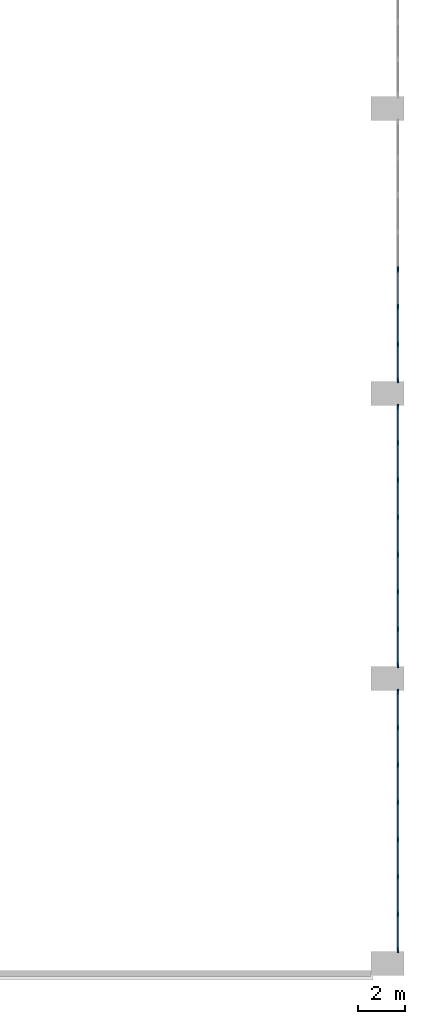
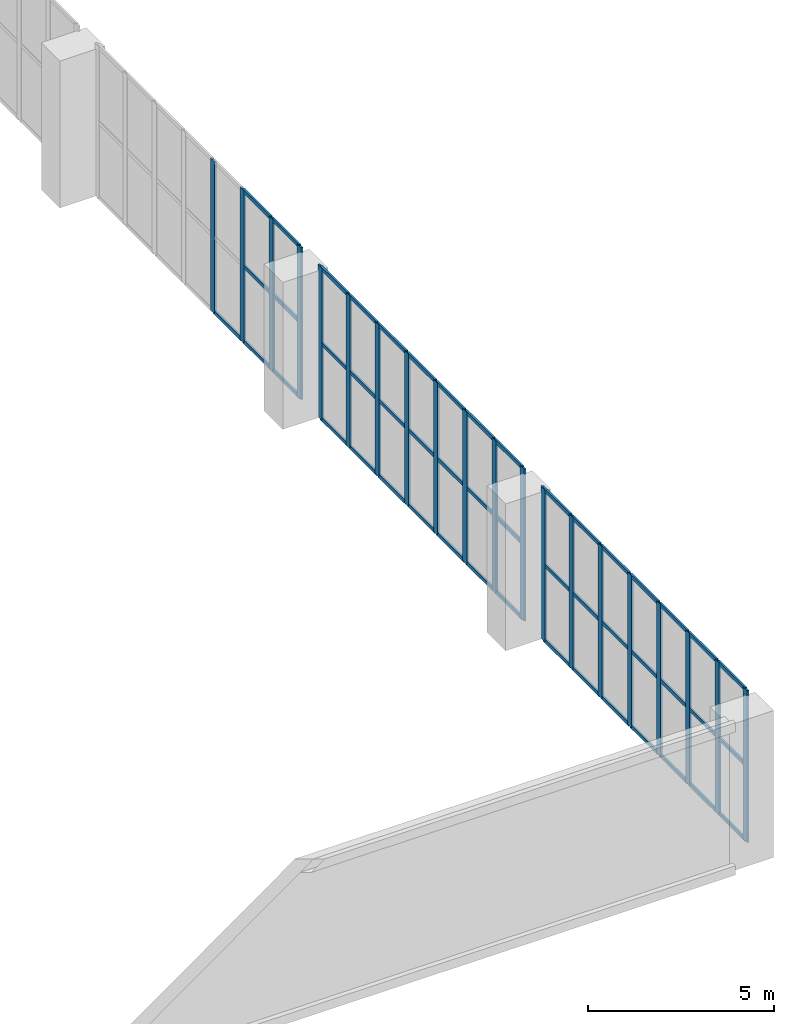
# One storey, part 15 of 69: 69 members, 3 elements without a shape of their own.
"""IFC4 building model written with IfcOpenShell, lengths in metres."""

from ifc_helpers import new_model, si_unit, direction, frame, origin, origin_2d, place, context, subcontext, project, spatial, rectangle, extrude, material, layer, layer_set, material_profile, profile_set, type_object, element, aggregate, save


model = new_model("IFC4")

# Units and contexts
model_context = context("Model", 3, precision=1e-05, world=origin(), true_north=direction((0.0, 1.0)))
body_context = subcontext(model_context, "Body", "Model", "MODEL_VIEW")
ifc_project = project(units=[si_unit("LENGTHUNIT", "METRE"), si_unit("AREAUNIT", "SQUARE_METRE"), si_unit("VOLUMEUNIT", "CUBIC_METRE"), si_unit("PLANEANGLEUNIT", "RADIAN"), si_unit("MASSUNIT", "GRAM", prefix="KILO")], contexts=[model_context])

# Site, building, storey
site_placement = place(None, origin())
site = spatial("IfcSite", under=ifc_project, at=site_placement, CompositionType="ELEMENT")
building_placement = place(site_placement, origin())
building = spatial("IfcBuilding", under=site, at=building_placement, Name="Lilac Gate Convention Centre", CompositionType="ELEMENT")
storey_placement = place(building_placement, frame((0.0, 0.0, 12.0)))
storey = spatial("IfcBuildingStorey", under=building, at=storey_placement, Name="L02", CompositionType="ELEMENT", Elevation=12.0)

# Curtain wall, members
ifc_material_1 = material(Name="Aluminium framed double glazing", Category="aluminium")
ifc_layer = layer(ifc_material_1, 0.199951171875)
ifc_layer_set = layer_set([ifc_layer], Name="Aluminium framed double glazing")
curtain_wall_type = type_object("IfcCurtainWallType", Name="Unitised curtain wall 1500", PredefinedType="NOTDEFINED", material=ifc_layer_set)
curtain_wall_1_placement = place(storey_placement, origin())
curtain_wall_1 = element("IfcCurtainWall", 1, at=curtain_wall_1_placement, inside=storey, type_object=curtain_wall_type, Name="Curtain wall HE L02 1", PredefinedType="NOTDEFINED")
ifc_material_2 = material(Name="Aluminium alloy 6063", Category="aluminium")
ifc_material_profile_1 = material_profile(ifc_material_2, rectangle(XDim=0.06005859375, YDim=0.219970703125, at=origin_2d()), Name="Curtain wall mullion 60 x 220")
ifc_profile_set_1 = profile_set([ifc_material_profile_1], Name="Aluminium alloy 6063")
member_type_1 = type_object("IfcMemberType", Name="Curtain wall mullion 60 x 220", PredefinedType="MULLION", material=ifc_profile_set_1)
member_1_placement = place(storey_placement, frame((90.449951171875, 30.56005859375, 0.0), z_axis=(0.0, 0.0, 1.0), x_axis=(-1.0, 0.0, 0.0)))
member_1 = element("IfcMember", 2, at=member_1_placement, type_object=member_type_1, Name="CW mullion 1", PredefinedType="MULLION", context=body_context, shape_type="SweptSolid", body=[
    extrude(rectangle(XDim=0.06005859375, YDim=0.219970703125, at=origin_2d()), origin(), (0.0, 0.0, 1.0), 5.0),
])
member_2_placement = place(storey_placement, frame((90.449951171875, 32.071533203125, 0.0), z_axis=(0.0, 0.0, 1.0), x_axis=(-1.0, 0.0, 0.0)))
member_2 = element("IfcMember", 3, at=member_2_placement, type_object=member_type_1, Name="CW mullion 2", PredefinedType="MULLION", context=body_context, shape_type="SweptSolid", body=[
    extrude(rectangle(XDim=0.06005859375, YDim=0.219970703125, at=origin_2d()), origin(), (0.0, 0.0, 1.0), 5.0),
])
member_3_placement = place(storey_placement, frame((90.449951171875, 33.642822265625, 0.0), z_axis=(0.0, 0.0, 1.0), x_axis=(-1.0, 0.0, 0.0)))
member_3 = element("IfcMember", 4, at=member_3_placement, type_object=member_type_1, Name="CW mullion 3", PredefinedType="MULLION", context=body_context, shape_type="SweptSolid", body=[
    extrude(rectangle(XDim=0.06005859375, YDim=0.219970703125, at=origin_2d()), origin(), (0.0, 0.0, 1.0), 5.0),
])
member_4_placement = place(storey_placement, frame((90.449951171875, 35.21435546875, 0.0), z_axis=(0.0, 0.0, 1.0), x_axis=(-1.0, 0.0, 0.0)))
member_4 = element("IfcMember", 5, at=member_4_placement, type_object=member_type_1, Name="CW mullion 4", PredefinedType="MULLION", context=body_context, shape_type="SweptSolid", body=[
    extrude(rectangle(XDim=0.06005859375, YDim=0.219970703125, at=origin_2d()), origin(), (0.0, 0.0, 1.0), 5.0),
])
member_5_placement = place(storey_placement, frame((90.449951171875, 36.78564453125, 0.0), z_axis=(0.0, 0.0, 1.0), x_axis=(-1.0, 0.0, 0.0)))
member_5 = element("IfcMember", 6, at=member_5_placement, type_object=member_type_1, Name="CW mullion 5", PredefinedType="MULLION", context=body_context, shape_type="SweptSolid", body=[
    extrude(rectangle(XDim=0.06005859375, YDim=0.219970703125, at=origin_2d()), origin(), (0.0, 0.0, 1.0), 5.0),
])
member_6_placement = place(storey_placement, frame((90.449951171875, 38.357177734375, 0.0), z_axis=(0.0, 0.0, 1.0), x_axis=(-1.0, 0.0, 0.0)))
member_6 = element("IfcMember", 7, at=member_6_placement, type_object=member_type_1, Name="CW mullion 6", PredefinedType="MULLION", context=body_context, shape_type="SweptSolid", body=[
    extrude(rectangle(XDim=0.06005859375, YDim=0.219970703125, at=origin_2d()), origin(), (0.0, 0.0, 1.0), 5.0),
])
member_7_placement = place(storey_placement, frame((90.449951171875, 39.928466796875, 0.0), z_axis=(0.0, 0.0, 1.0), x_axis=(-1.0, 0.0, 0.0)))
member_7 = element("IfcMember", 8, at=member_7_placement, type_object=member_type_1, Name="CW mullion 7", PredefinedType="MULLION", context=body_context, shape_type="SweptSolid", body=[
    extrude(rectangle(XDim=0.06005859375, YDim=0.219970703125, at=origin_2d()), origin(), (0.0, 0.0, 1.0), 5.0),
])
member_8_placement = place(storey_placement, frame((90.449951171875, 41.43994140625, 0.0), z_axis=(0.0, 0.0, 1.0), x_axis=(-1.0, 0.0, 0.0)))
member_8 = element("IfcMember", 9, at=member_8_placement, type_object=member_type_1, Name="CW mullion 8", PredefinedType="MULLION", context=body_context, shape_type="SweptSolid", body=[
    extrude(rectangle(XDim=0.06005859375, YDim=0.219970703125, at=origin_2d()), origin(), (0.0, 0.0, 1.0), 5.0),
])

curtain_wall_2_placement = place(storey_placement, origin())
curtain_wall_2 = element("IfcCurtainWall", 10, at=curtain_wall_2_placement, inside=storey, type_object=curtain_wall_type, Name="Curtain wall HE L02 2", PredefinedType="NOTDEFINED")
member_9_placement = place(storey_placement, frame((90.449951171875, 42.56005859375, 0.0), z_axis=(0.0, 0.0, 1.0), x_axis=(-1.0, 0.0, 0.0)))
member_9 = element("IfcMember", 11, at=member_9_placement, type_object=member_type_1, Name="CW mullion 1", PredefinedType="MULLION", context=body_context, shape_type="SweptSolid", body=[
    extrude(rectangle(XDim=0.06005859375, YDim=0.219970703125, at=origin_2d()), origin(), (0.0, 0.0, 1.0), 5.0),
])
member_10_placement = place(storey_placement, frame((90.449951171875, 44.071533203125, 0.0), z_axis=(0.0, 0.0, 1.0), x_axis=(-1.0, 0.0, 0.0)))
member_10 = element("IfcMember", 12, at=member_10_placement, type_object=member_type_1, Name="CW mullion 2", PredefinedType="MULLION", context=body_context, shape_type="SweptSolid", body=[
    extrude(rectangle(XDim=0.06005859375, YDim=0.219970703125, at=origin_2d()), origin(), (0.0, 0.0, 1.0), 5.0),
])
member_11_placement = place(storey_placement, frame((90.449951171875, 45.642822265625, 0.0), z_axis=(0.0, 0.0, 1.0), x_axis=(-1.0, 0.0, 0.0)))
member_11 = element("IfcMember", 13, at=member_11_placement, type_object=member_type_1, Name="CW mullion 3", PredefinedType="MULLION", context=body_context, shape_type="SweptSolid", body=[
    extrude(rectangle(XDim=0.06005859375, YDim=0.219970703125, at=origin_2d()), origin(), (0.0, 0.0, 1.0), 5.0),
])
member_12_placement = place(storey_placement, frame((90.449951171875, 47.21435546875, 0.0), z_axis=(0.0, 0.0, 1.0), x_axis=(-1.0, 0.0, 0.0)))
member_12 = element("IfcMember", 14, at=member_12_placement, type_object=member_type_1, Name="CW mullion 4", PredefinedType="MULLION", context=body_context, shape_type="SweptSolid", body=[
    extrude(rectangle(XDim=0.06005859375, YDim=0.219970703125, at=origin_2d()), origin(), (0.0, 0.0, 1.0), 5.0),
])
member_13_placement = place(storey_placement, frame((90.449951171875, 48.78564453125, 0.0), z_axis=(0.0, 0.0, 1.0), x_axis=(-1.0, 0.0, 0.0)))
member_13 = element("IfcMember", 15, at=member_13_placement, type_object=member_type_1, Name="CW mullion 5", PredefinedType="MULLION", context=body_context, shape_type="SweptSolid", body=[
    extrude(rectangle(XDim=0.06005859375, YDim=0.219970703125, at=origin_2d()), origin(), (0.0, 0.0, 1.0), 5.0),
])
member_14_placement = place(storey_placement, frame((90.449951171875, 50.357177734375, 0.0), z_axis=(0.0, 0.0, 1.0), x_axis=(-1.0, 0.0, 0.0)))
member_14 = element("IfcMember", 16, at=member_14_placement, type_object=member_type_1, Name="CW mullion 6", PredefinedType="MULLION", context=body_context, shape_type="SweptSolid", body=[
    extrude(rectangle(XDim=0.06005859375, YDim=0.219970703125, at=origin_2d()), origin(), (0.0, 0.0, 1.0), 5.0),
])
member_15_placement = place(storey_placement, frame((90.449951171875, 51.928466796875, 0.0), z_axis=(0.0, 0.0, 1.0), x_axis=(-1.0, 0.0, 0.0)))
member_15 = element("IfcMember", 17, at=member_15_placement, type_object=member_type_1, Name="CW mullion 7", PredefinedType="MULLION", context=body_context, shape_type="SweptSolid", body=[
    extrude(rectangle(XDim=0.06005859375, YDim=0.219970703125, at=origin_2d()), origin(), (0.0, 0.0, 1.0), 5.0),
])
member_16_placement = place(storey_placement, frame((90.449951171875, 53.43994140625, 0.0), z_axis=(0.0, 0.0, 1.0), x_axis=(-1.0, 0.0, 0.0)))
member_16 = element("IfcMember", 18, at=member_16_placement, type_object=member_type_1, Name="CW mullion 8", PredefinedType="MULLION", context=body_context, shape_type="SweptSolid", body=[
    extrude(rectangle(XDim=0.06005859375, YDim=0.219970703125, at=origin_2d()), origin(), (0.0, 0.0, 1.0), 5.0),
])

curtain_wall_3_placement = place(storey_placement, origin())
curtain_wall_3 = element("IfcCurtainWall", 19, at=curtain_wall_3_placement, inside=storey, type_object=curtain_wall_type, Name="Curtain wall HE L02 3", PredefinedType="NOTDEFINED")
member_17_placement = place(storey_placement, frame((90.449951171875, 54.56005859375, 0.0), z_axis=(0.0, 0.0, 1.0), x_axis=(-1.0, 0.0, 0.0)))
member_17 = element("IfcMember", 20, at=member_17_placement, type_object=member_type_1, Name="CW mullion 1", PredefinedType="MULLION", context=body_context, shape_type="SweptSolid", body=[
    extrude(rectangle(XDim=0.06005859375, YDim=0.219970703125, at=origin_2d()), origin(), (0.0, 0.0, 1.0), 5.0),
])
member_18_placement = place(storey_placement, frame((90.449951171875, 56.071533203125, 0.0), z_axis=(0.0, 0.0, 1.0), x_axis=(-1.0, 0.0, 0.0)))
member_18 = element("IfcMember", 21, at=member_18_placement, type_object=member_type_1, Name="CW mullion 2", PredefinedType="MULLION", context=body_context, shape_type="SweptSolid", body=[
    extrude(rectangle(XDim=0.06005859375, YDim=0.219970703125, at=origin_2d()), origin(), (0.0, 0.0, 1.0), 5.0),
])
member_19_placement = place(storey_placement, frame((90.449951171875, 57.642822265625, 0.0), z_axis=(0.0, 0.0, 1.0), x_axis=(-1.0, 0.0, 0.0)))
member_19 = element("IfcMember", 22, at=member_19_placement, type_object=member_type_1, Name="CW mullion 3", PredefinedType="MULLION", context=body_context, shape_type="SweptSolid", body=[
    extrude(rectangle(XDim=0.06005859375, YDim=0.219970703125, at=origin_2d()), origin(), (0.0, 0.0, 1.0), 5.0),
])
member_20_placement = place(storey_placement, frame((90.449951171875, 59.21435546875, 0.0), z_axis=(0.0, 0.0, 1.0), x_axis=(-1.0, 0.0, 0.0)))
member_20 = element("IfcMember", 23, at=member_20_placement, type_object=member_type_1, Name="CW mullion 4", PredefinedType="MULLION", context=body_context, shape_type="SweptSolid", body=[
    extrude(rectangle(XDim=0.06005859375, YDim=0.219970703125, at=origin_2d()), origin(), (0.0, 0.0, 1.0), 5.0),
])

# Member
ifc_material_profile_2 = material_profile(ifc_material_2, rectangle(XDim=0.06005859375, YDim=0.1201171875, at=origin_2d()), Name="Curtain wall transom 60 x 120")
ifc_profile_set_2 = profile_set([ifc_material_profile_2], Name="Aluminium alloy 6063")
member_type_2 = type_object("IfcMemberType", Name="Curtain wall transom 60 x 120", PredefinedType="USERDEFINED", material=ifc_profile_set_2)
member_21_placement = place(storey_placement, frame((90.449951171875, 30.56005859375, 0.030029296875), z_axis=(0.0, 1.0, 0.0), x_axis=(-1.0, 0.0, 0.0)))
member_21 = element("IfcMember", 24, at=member_21_placement, type_object=member_type_2, Name="CW transom 1.1", ObjectType="TRANSOM", PredefinedType="USERDEFINED", context=body_context, shape_type="SweptSolid", body=[
    extrude(rectangle(XDim=0.06005859375, YDim=0.1201171875, at=origin_2d()), origin(), (0.0, 0.0, 1.0), 1.4814453125),
])

member_22_placement = place(storey_placement, frame((90.449951171875, 30.56005859375, 2.5), z_axis=(0.0, 1.0, 0.0), x_axis=(-1.0, 0.0, 0.0)))
member_22 = element("IfcMember", 25, at=member_22_placement, type_object=member_type_2, Name="CW transom 1.2", ObjectType="TRANSOM", PredefinedType="USERDEFINED", context=body_context, shape_type="SweptSolid", body=[
    extrude(rectangle(XDim=0.06005859375, YDim=0.1201171875, at=origin_2d()), origin(), (0.0, 0.0, 1.0), 1.4814453125),
])

member_23_placement = place(storey_placement, frame((90.449951171875, 30.56005859375, 4.969970703125), z_axis=(0.0, 1.0, 0.0), x_axis=(-1.0, 0.0, 0.0)))
member_23 = element("IfcMember", 26, at=member_23_placement, type_object=member_type_2, Name="CW transom 1.3", ObjectType="TRANSOM", PredefinedType="USERDEFINED", context=body_context, shape_type="SweptSolid", body=[
    extrude(rectangle(XDim=0.06005859375, YDim=0.1201171875, at=origin_2d()), origin(), (0.0, 0.0, 1.0), 1.4814453125),
])

member_24_placement = place(storey_placement, frame((90.449951171875, 32.101318359375, 0.030029296875), z_axis=(0.0, 1.0, 0.0), x_axis=(-1.0, 0.0, 0.0)))
member_24 = element("IfcMember", 27, at=member_24_placement, type_object=member_type_2, Name="CW transom 2.1", ObjectType="TRANSOM", PredefinedType="USERDEFINED", context=body_context, shape_type="SweptSolid", body=[
    extrude(rectangle(XDim=0.06005859375, YDim=0.1201171875, at=origin_2d()), origin(), (0.0, 0.0, 1.0), 1.511474609375),
])

member_25_placement = place(storey_placement, frame((90.449951171875, 32.101318359375, 2.5), z_axis=(0.0, 1.0, 0.0), x_axis=(-1.0, 0.0, 0.0)))
member_25 = element("IfcMember", 28, at=member_25_placement, type_object=member_type_2, Name="CW transom 2.2", ObjectType="TRANSOM", PredefinedType="USERDEFINED", context=body_context, shape_type="SweptSolid", body=[
    extrude(rectangle(XDim=0.06005859375, YDim=0.1201171875, at=origin_2d()), origin(), (0.0, 0.0, 1.0), 1.511474609375),
])

member_26_placement = place(storey_placement, frame((90.449951171875, 32.101318359375, 4.969970703125), z_axis=(0.0, 1.0, 0.0), x_axis=(-1.0, 0.0, 0.0)))
member_26 = element("IfcMember", 29, at=member_26_placement, type_object=member_type_2, Name="CW transom 2.3", ObjectType="TRANSOM", PredefinedType="USERDEFINED", context=body_context, shape_type="SweptSolid", body=[
    extrude(rectangle(XDim=0.06005859375, YDim=0.1201171875, at=origin_2d()), origin(), (0.0, 0.0, 1.0), 1.511474609375),
])

member_27_placement = place(storey_placement, frame((90.449951171875, 33.6728515625, 0.030029296875), z_axis=(0.0, 1.0, 0.0), x_axis=(-1.0, 0.0, 0.0)))
member_27 = element("IfcMember", 30, at=member_27_placement, type_object=member_type_2, Name="CW transom 3.1", ObjectType="TRANSOM", PredefinedType="USERDEFINED", context=body_context, shape_type="SweptSolid", body=[
    extrude(rectangle(XDim=0.06005859375, YDim=0.1201171875, at=origin_2d()), origin(), (0.0, 0.0, 1.0), 1.511474609375),
])

member_28_placement = place(storey_placement, frame((90.449951171875, 33.6728515625, 2.5), z_axis=(0.0, 1.0, 0.0), x_axis=(-1.0, 0.0, 0.0)))
member_28 = element("IfcMember", 31, at=member_28_placement, type_object=member_type_2, Name="CW transom 3.2", ObjectType="TRANSOM", PredefinedType="USERDEFINED", context=body_context, shape_type="SweptSolid", body=[
    extrude(rectangle(XDim=0.06005859375, YDim=0.1201171875, at=origin_2d()), origin(), (0.0, 0.0, 1.0), 1.511474609375),
])

member_29_placement = place(storey_placement, frame((90.449951171875, 33.6728515625, 4.969970703125), z_axis=(0.0, 1.0, 0.0), x_axis=(-1.0, 0.0, 0.0)))
member_29 = element("IfcMember", 32, at=member_29_placement, type_object=member_type_2, Name="CW transom 3.3", ObjectType="TRANSOM", PredefinedType="USERDEFINED", context=body_context, shape_type="SweptSolid", body=[
    extrude(rectangle(XDim=0.06005859375, YDim=0.1201171875, at=origin_2d()), origin(), (0.0, 0.0, 1.0), 1.511474609375),
])

member_30_placement = place(storey_placement, frame((90.449951171875, 35.244384765625, 0.030029296875), z_axis=(0.0, 1.0, 0.0), x_axis=(-1.0, 0.0, 0.0)))
member_30 = element("IfcMember", 33, at=member_30_placement, type_object=member_type_2, Name="CW transom 4.1", ObjectType="TRANSOM", PredefinedType="USERDEFINED", context=body_context, shape_type="SweptSolid", body=[
    extrude(rectangle(XDim=0.06005859375, YDim=0.1201171875, at=origin_2d()), origin(), (0.0, 0.0, 1.0), 1.51123046875),
])

member_31_placement = place(storey_placement, frame((90.449951171875, 35.244384765625, 2.5), z_axis=(0.0, 1.0, 0.0), x_axis=(-1.0, 0.0, 0.0)))
member_31 = element("IfcMember", 34, at=member_31_placement, type_object=member_type_2, Name="CW transom 4.2", ObjectType="TRANSOM", PredefinedType="USERDEFINED", context=body_context, shape_type="SweptSolid", body=[
    extrude(rectangle(XDim=0.06005859375, YDim=0.1201171875, at=origin_2d()), origin(), (0.0, 0.0, 1.0), 1.51123046875),
])

member_32_placement = place(storey_placement, frame((90.449951171875, 35.244384765625, 4.969970703125), z_axis=(0.0, 1.0, 0.0), x_axis=(-1.0, 0.0, 0.0)))
member_32 = element("IfcMember", 35, at=member_32_placement, type_object=member_type_2, Name="CW transom 4.3", ObjectType="TRANSOM", PredefinedType="USERDEFINED", context=body_context, shape_type="SweptSolid", body=[
    extrude(rectangle(XDim=0.06005859375, YDim=0.1201171875, at=origin_2d()), origin(), (0.0, 0.0, 1.0), 1.51123046875),
])

member_33_placement = place(storey_placement, frame((90.449951171875, 36.815673828125, 0.030029296875), z_axis=(0.0, 1.0, 0.0), x_axis=(-1.0, 0.0, 0.0)))
member_33 = element("IfcMember", 36, at=member_33_placement, type_object=member_type_2, Name="CW transom 5.1", ObjectType="TRANSOM", PredefinedType="USERDEFINED", context=body_context, shape_type="SweptSolid", body=[
    extrude(rectangle(XDim=0.06005859375, YDim=0.1201171875, at=origin_2d()), origin(), (0.0, 0.0, 1.0), 1.511474609375),
])

member_34_placement = place(storey_placement, frame((90.449951171875, 36.815673828125, 2.5), z_axis=(0.0, 1.0, 0.0), x_axis=(-1.0, 0.0, 0.0)))
member_34 = element("IfcMember", 37, at=member_34_placement, type_object=member_type_2, Name="CW transom 5.2", ObjectType="TRANSOM", PredefinedType="USERDEFINED", context=body_context, shape_type="SweptSolid", body=[
    extrude(rectangle(XDim=0.06005859375, YDim=0.1201171875, at=origin_2d()), origin(), (0.0, 0.0, 1.0), 1.511474609375),
])

member_35_placement = place(storey_placement, frame((90.449951171875, 36.815673828125, 4.969970703125), z_axis=(0.0, 1.0, 0.0), x_axis=(-1.0, 0.0, 0.0)))
member_35 = element("IfcMember", 38, at=member_35_placement, type_object=member_type_2, Name="CW transom 5.3", ObjectType="TRANSOM", PredefinedType="USERDEFINED", context=body_context, shape_type="SweptSolid", body=[
    extrude(rectangle(XDim=0.06005859375, YDim=0.1201171875, at=origin_2d()), origin(), (0.0, 0.0, 1.0), 1.511474609375),
])

member_36_placement = place(storey_placement, frame((90.449951171875, 38.38720703125, 0.030029296875), z_axis=(0.0, 1.0, 0.0), x_axis=(-1.0, 0.0, 0.0)))
member_36 = element("IfcMember", 39, at=member_36_placement, type_object=member_type_2, Name="CW transom 6.1", ObjectType="TRANSOM", PredefinedType="USERDEFINED", context=body_context, shape_type="SweptSolid", body=[
    extrude(rectangle(XDim=0.06005859375, YDim=0.1201171875, at=origin_2d()), origin(), (0.0, 0.0, 1.0), 1.511474609375),
])

member_37_placement = place(storey_placement, frame((90.449951171875, 38.38720703125, 2.5), z_axis=(0.0, 1.0, 0.0), x_axis=(-1.0, 0.0, 0.0)))
member_37 = element("IfcMember", 40, at=member_37_placement, type_object=member_type_2, Name="CW transom 6.2", ObjectType="TRANSOM", PredefinedType="USERDEFINED", context=body_context, shape_type="SweptSolid", body=[
    extrude(rectangle(XDim=0.06005859375, YDim=0.1201171875, at=origin_2d()), origin(), (0.0, 0.0, 1.0), 1.511474609375),
])

member_38_placement = place(storey_placement, frame((90.449951171875, 38.38720703125, 4.969970703125), z_axis=(0.0, 1.0, 0.0), x_axis=(-1.0, 0.0, 0.0)))
member_38 = element("IfcMember", 41, at=member_38_placement, type_object=member_type_2, Name="CW transom 6.3", ObjectType="TRANSOM", PredefinedType="USERDEFINED", context=body_context, shape_type="SweptSolid", body=[
    extrude(rectangle(XDim=0.06005859375, YDim=0.1201171875, at=origin_2d()), origin(), (0.0, 0.0, 1.0), 1.511474609375),
])

member_39_placement = place(storey_placement, frame((90.449951171875, 39.95849609375, 0.030029296875), z_axis=(0.0, 1.0, 0.0), x_axis=(-1.0, 0.0, 0.0)))
member_39 = element("IfcMember", 42, at=member_39_placement, type_object=member_type_2, Name="CW transom 7.1", ObjectType="TRANSOM", PredefinedType="USERDEFINED", context=body_context, shape_type="SweptSolid", body=[
    extrude(rectangle(XDim=0.06005859375, YDim=0.1201171875, at=origin_2d()), origin(), (0.0, 0.0, 1.0), 1.4814453125),
])

member_40_placement = place(storey_placement, frame((90.449951171875, 39.95849609375, 2.5), z_axis=(0.0, 1.0, 0.0), x_axis=(-1.0, 0.0, 0.0)))
member_40 = element("IfcMember", 43, at=member_40_placement, type_object=member_type_2, Name="CW transom 7.2", ObjectType="TRANSOM", PredefinedType="USERDEFINED", context=body_context, shape_type="SweptSolid", body=[
    extrude(rectangle(XDim=0.06005859375, YDim=0.1201171875, at=origin_2d()), origin(), (0.0, 0.0, 1.0), 1.4814453125),
])

member_41_placement = place(storey_placement, frame((90.449951171875, 39.95849609375, 4.969970703125), z_axis=(0.0, 1.0, 0.0), x_axis=(-1.0, 0.0, 0.0)))
member_41 = element("IfcMember", 44, at=member_41_placement, type_object=member_type_2, Name="CW transom 7.3", ObjectType="TRANSOM", PredefinedType="USERDEFINED", context=body_context, shape_type="SweptSolid", body=[
    extrude(rectangle(XDim=0.06005859375, YDim=0.1201171875, at=origin_2d()), origin(), (0.0, 0.0, 1.0), 1.4814453125),
])

aggregate(curtain_wall_1, [member_1, member_2, member_3, member_4, member_5, member_6, member_7, member_8, member_21, member_22, member_23, member_24, member_25, member_26, member_27, member_28, member_29, member_30, member_31, member_32, member_33, member_34, member_35, member_36, member_37, member_38, member_39, member_40, member_41])

member_42_placement = place(storey_placement, frame((90.449951171875, 42.56005859375, 0.030029296875), z_axis=(0.0, 1.0, 0.0), x_axis=(-1.0, 0.0, 0.0)))
member_42 = element("IfcMember", 45, at=member_42_placement, type_object=member_type_2, Name="CW transom 1.1", ObjectType="TRANSOM", PredefinedType="USERDEFINED", context=body_context, shape_type="SweptSolid", body=[
    extrude(rectangle(XDim=0.06005859375, YDim=0.1201171875, at=origin_2d()), origin(), (0.0, 0.0, 1.0), 1.4814453125),
])

member_43_placement = place(storey_placement, frame((90.449951171875, 42.56005859375, 2.5), z_axis=(0.0, 1.0, 0.0), x_axis=(-1.0, 0.0, 0.0)))
member_43 = element("IfcMember", 46, at=member_43_placement, type_object=member_type_2, Name="CW transom 1.2", ObjectType="TRANSOM", PredefinedType="USERDEFINED", context=body_context, shape_type="SweptSolid", body=[
    extrude(rectangle(XDim=0.06005859375, YDim=0.1201171875, at=origin_2d()), origin(), (0.0, 0.0, 1.0), 1.4814453125),
])

member_44_placement = place(storey_placement, frame((90.449951171875, 42.56005859375, 4.969970703125), z_axis=(0.0, 1.0, 0.0), x_axis=(-1.0, 0.0, 0.0)))
member_44 = element("IfcMember", 47, at=member_44_placement, type_object=member_type_2, Name="CW transom 1.3", ObjectType="TRANSOM", PredefinedType="USERDEFINED", context=body_context, shape_type="SweptSolid", body=[
    extrude(rectangle(XDim=0.06005859375, YDim=0.1201171875, at=origin_2d()), origin(), (0.0, 0.0, 1.0), 1.4814453125),
])

member_45_placement = place(storey_placement, frame((90.449951171875, 44.101318359375, 0.030029296875), z_axis=(0.0, 1.0, 0.0), x_axis=(-1.0, 0.0, 0.0)))
member_45 = element("IfcMember", 48, at=member_45_placement, type_object=member_type_2, Name="CW transom 2.1", ObjectType="TRANSOM", PredefinedType="USERDEFINED", context=body_context, shape_type="SweptSolid", body=[
    extrude(rectangle(XDim=0.06005859375, YDim=0.1201171875, at=origin_2d()), origin(), (0.0, 0.0, 1.0), 1.511474609375),
])

member_46_placement = place(storey_placement, frame((90.449951171875, 44.101318359375, 2.5), z_axis=(0.0, 1.0, 0.0), x_axis=(-1.0, 0.0, 0.0)))
member_46 = element("IfcMember", 49, at=member_46_placement, type_object=member_type_2, Name="CW transom 2.2", ObjectType="TRANSOM", PredefinedType="USERDEFINED", context=body_context, shape_type="SweptSolid", body=[
    extrude(rectangle(XDim=0.06005859375, YDim=0.1201171875, at=origin_2d()), origin(), (0.0, 0.0, 1.0), 1.511474609375),
])

member_47_placement = place(storey_placement, frame((90.449951171875, 44.101318359375, 4.969970703125), z_axis=(0.0, 1.0, 0.0), x_axis=(-1.0, 0.0, 0.0)))
member_47 = element("IfcMember", 50, at=member_47_placement, type_object=member_type_2, Name="CW transom 2.3", ObjectType="TRANSOM", PredefinedType="USERDEFINED", context=body_context, shape_type="SweptSolid", body=[
    extrude(rectangle(XDim=0.06005859375, YDim=0.1201171875, at=origin_2d()), origin(), (0.0, 0.0, 1.0), 1.511474609375),
])

member_48_placement = place(storey_placement, frame((90.449951171875, 45.6728515625, 0.030029296875), z_axis=(0.0, 1.0, 0.0), x_axis=(-1.0, 0.0, 0.0)))
member_48 = element("IfcMember", 51, at=member_48_placement, type_object=member_type_2, Name="CW transom 3.1", ObjectType="TRANSOM", PredefinedType="USERDEFINED", context=body_context, shape_type="SweptSolid", body=[
    extrude(rectangle(XDim=0.06005859375, YDim=0.1201171875, at=origin_2d()), origin(), (0.0, 0.0, 1.0), 1.511474609375),
])

member_49_placement = place(storey_placement, frame((90.449951171875, 45.6728515625, 2.5), z_axis=(0.0, 1.0, 0.0), x_axis=(-1.0, 0.0, 0.0)))
member_49 = element("IfcMember", 52, at=member_49_placement, type_object=member_type_2, Name="CW transom 3.2", ObjectType="TRANSOM", PredefinedType="USERDEFINED", context=body_context, shape_type="SweptSolid", body=[
    extrude(rectangle(XDim=0.06005859375, YDim=0.1201171875, at=origin_2d()), origin(), (0.0, 0.0, 1.0), 1.511474609375),
])

member_50_placement = place(storey_placement, frame((90.449951171875, 45.6728515625, 4.969970703125), z_axis=(0.0, 1.0, 0.0), x_axis=(-1.0, 0.0, 0.0)))
member_50 = element("IfcMember", 53, at=member_50_placement, type_object=member_type_2, Name="CW transom 3.3", ObjectType="TRANSOM", PredefinedType="USERDEFINED", context=body_context, shape_type="SweptSolid", body=[
    extrude(rectangle(XDim=0.06005859375, YDim=0.1201171875, at=origin_2d()), origin(), (0.0, 0.0, 1.0), 1.511474609375),
])

member_51_placement = place(storey_placement, frame((90.449951171875, 47.244384765625, 0.030029296875), z_axis=(0.0, 1.0, 0.0), x_axis=(-1.0, 0.0, 0.0)))
member_51 = element("IfcMember", 54, at=member_51_placement, type_object=member_type_2, Name="CW transom 4.1", ObjectType="TRANSOM", PredefinedType="USERDEFINED", context=body_context, shape_type="SweptSolid", body=[
    extrude(rectangle(XDim=0.06005859375, YDim=0.1201171875, at=origin_2d()), origin(), (0.0, 0.0, 1.0), 1.51123046875),
])

member_52_placement = place(storey_placement, frame((90.449951171875, 47.244384765625, 2.5), z_axis=(0.0, 1.0, 0.0), x_axis=(-1.0, 0.0, 0.0)))
member_52 = element("IfcMember", 55, at=member_52_placement, type_object=member_type_2, Name="CW transom 4.2", ObjectType="TRANSOM", PredefinedType="USERDEFINED", context=body_context, shape_type="SweptSolid", body=[
    extrude(rectangle(XDim=0.06005859375, YDim=0.1201171875, at=origin_2d()), origin(), (0.0, 0.0, 1.0), 1.51123046875),
])

member_53_placement = place(storey_placement, frame((90.449951171875, 47.244384765625, 4.969970703125), z_axis=(0.0, 1.0, 0.0), x_axis=(-1.0, 0.0, 0.0)))
member_53 = element("IfcMember", 56, at=member_53_placement, type_object=member_type_2, Name="CW transom 4.3", ObjectType="TRANSOM", PredefinedType="USERDEFINED", context=body_context, shape_type="SweptSolid", body=[
    extrude(rectangle(XDim=0.06005859375, YDim=0.1201171875, at=origin_2d()), origin(), (0.0, 0.0, 1.0), 1.51123046875),
])

member_54_placement = place(storey_placement, frame((90.449951171875, 48.815673828125, 0.030029296875), z_axis=(0.0, 1.0, 0.0), x_axis=(-1.0, 0.0, 0.0)))
member_54 = element("IfcMember", 57, at=member_54_placement, type_object=member_type_2, Name="CW transom 5.1", ObjectType="TRANSOM", PredefinedType="USERDEFINED", context=body_context, shape_type="SweptSolid", body=[
    extrude(rectangle(XDim=0.06005859375, YDim=0.1201171875, at=origin_2d()), origin(), (0.0, 0.0, 1.0), 1.511474609375),
])

member_55_placement = place(storey_placement, frame((90.449951171875, 48.815673828125, 2.5), z_axis=(0.0, 1.0, 0.0), x_axis=(-1.0, 0.0, 0.0)))
member_55 = element("IfcMember", 58, at=member_55_placement, type_object=member_type_2, Name="CW transom 5.2", ObjectType="TRANSOM", PredefinedType="USERDEFINED", context=body_context, shape_type="SweptSolid", body=[
    extrude(rectangle(XDim=0.06005859375, YDim=0.1201171875, at=origin_2d()), origin(), (0.0, 0.0, 1.0), 1.511474609375),
])

member_56_placement = place(storey_placement, frame((90.449951171875, 48.815673828125, 4.969970703125), z_axis=(0.0, 1.0, 0.0), x_axis=(-1.0, 0.0, 0.0)))
member_56 = element("IfcMember", 59, at=member_56_placement, type_object=member_type_2, Name="CW transom 5.3", ObjectType="TRANSOM", PredefinedType="USERDEFINED", context=body_context, shape_type="SweptSolid", body=[
    extrude(rectangle(XDim=0.06005859375, YDim=0.1201171875, at=origin_2d()), origin(), (0.0, 0.0, 1.0), 1.511474609375),
])

member_57_placement = place(storey_placement, frame((90.449951171875, 50.38720703125, 0.030029296875), z_axis=(0.0, 1.0, 0.0), x_axis=(-1.0, 0.0, 0.0)))
member_57 = element("IfcMember", 60, at=member_57_placement, type_object=member_type_2, Name="CW transom 6.1", ObjectType="TRANSOM", PredefinedType="USERDEFINED", context=body_context, shape_type="SweptSolid", body=[
    extrude(rectangle(XDim=0.06005859375, YDim=0.1201171875, at=origin_2d()), origin(), (0.0, 0.0, 1.0), 1.511474609375),
])

member_58_placement = place(storey_placement, frame((90.449951171875, 50.38720703125, 2.5), z_axis=(0.0, 1.0, 0.0), x_axis=(-1.0, 0.0, 0.0)))
member_58 = element("IfcMember", 61, at=member_58_placement, type_object=member_type_2, Name="CW transom 6.2", ObjectType="TRANSOM", PredefinedType="USERDEFINED", context=body_context, shape_type="SweptSolid", body=[
    extrude(rectangle(XDim=0.06005859375, YDim=0.1201171875, at=origin_2d()), origin(), (0.0, 0.0, 1.0), 1.511474609375),
])

member_59_placement = place(storey_placement, frame((90.449951171875, 50.38720703125, 4.969970703125), z_axis=(0.0, 1.0, 0.0), x_axis=(-1.0, 0.0, 0.0)))
member_59 = element("IfcMember", 62, at=member_59_placement, type_object=member_type_2, Name="CW transom 6.3", ObjectType="TRANSOM", PredefinedType="USERDEFINED", context=body_context, shape_type="SweptSolid", body=[
    extrude(rectangle(XDim=0.06005859375, YDim=0.1201171875, at=origin_2d()), origin(), (0.0, 0.0, 1.0), 1.511474609375),
])

member_60_placement = place(storey_placement, frame((90.449951171875, 51.95849609375, 0.030029296875), z_axis=(0.0, 1.0, 0.0), x_axis=(-1.0, 0.0, 0.0)))
member_60 = element("IfcMember", 63, at=member_60_placement, type_object=member_type_2, Name="CW transom 7.1", ObjectType="TRANSOM", PredefinedType="USERDEFINED", context=body_context, shape_type="SweptSolid", body=[
    extrude(rectangle(XDim=0.06005859375, YDim=0.1201171875, at=origin_2d()), origin(), (0.0, 0.0, 1.0), 1.4814453125),
])

member_61_placement = place(storey_placement, frame((90.449951171875, 51.95849609375, 2.5), z_axis=(0.0, 1.0, 0.0), x_axis=(-1.0, 0.0, 0.0)))
member_61 = element("IfcMember", 64, at=member_61_placement, type_object=member_type_2, Name="CW transom 7.2", ObjectType="TRANSOM", PredefinedType="USERDEFINED", context=body_context, shape_type="SweptSolid", body=[
    extrude(rectangle(XDim=0.06005859375, YDim=0.1201171875, at=origin_2d()), origin(), (0.0, 0.0, 1.0), 1.4814453125),
])

member_62_placement = place(storey_placement, frame((90.449951171875, 51.95849609375, 4.969970703125), z_axis=(0.0, 1.0, 0.0), x_axis=(-1.0, 0.0, 0.0)))
member_62 = element("IfcMember", 65, at=member_62_placement, type_object=member_type_2, Name="CW transom 7.3", ObjectType="TRANSOM", PredefinedType="USERDEFINED", context=body_context, shape_type="SweptSolid", body=[
    extrude(rectangle(XDim=0.06005859375, YDim=0.1201171875, at=origin_2d()), origin(), (0.0, 0.0, 1.0), 1.4814453125),
])

aggregate(curtain_wall_2, [member_9, member_10, member_11, member_12, member_13, member_14, member_15, member_16, member_42, member_43, member_44, member_45, member_46, member_47, member_48, member_49, member_50, member_51, member_52, member_53, member_54, member_55, member_56, member_57, member_58, member_59, member_60, member_61, member_62])

member_63_placement = place(storey_placement, frame((90.449951171875, 54.56005859375, 0.030029296875), z_axis=(0.0, 1.0, 0.0), x_axis=(-1.0, 0.0, 0.0)))
member_63 = element("IfcMember", 66, at=member_63_placement, type_object=member_type_2, Name="CW transom 1.1", ObjectType="TRANSOM", PredefinedType="USERDEFINED", context=body_context, shape_type="SweptSolid", body=[
    extrude(rectangle(XDim=0.06005859375, YDim=0.1201171875, at=origin_2d()), origin(), (0.0, 0.0, 1.0), 1.4814453125),
])

member_64_placement = place(storey_placement, frame((90.449951171875, 54.56005859375, 2.5), z_axis=(0.0, 1.0, 0.0), x_axis=(-1.0, 0.0, 0.0)))
member_64 = element("IfcMember", 67, at=member_64_placement, type_object=member_type_2, Name="CW transom 1.2", ObjectType="TRANSOM", PredefinedType="USERDEFINED", context=body_context, shape_type="SweptSolid", body=[
    extrude(rectangle(XDim=0.06005859375, YDim=0.1201171875, at=origin_2d()), origin(), (0.0, 0.0, 1.0), 1.4814453125),
])

member_65_placement = place(storey_placement, frame((90.449951171875, 54.56005859375, 4.969970703125), z_axis=(0.0, 1.0, 0.0), x_axis=(-1.0, 0.0, 0.0)))
member_65 = element("IfcMember", 68, at=member_65_placement, type_object=member_type_2, Name="CW transom 1.3", ObjectType="TRANSOM", PredefinedType="USERDEFINED", context=body_context, shape_type="SweptSolid", body=[
    extrude(rectangle(XDim=0.06005859375, YDim=0.1201171875, at=origin_2d()), origin(), (0.0, 0.0, 1.0), 1.4814453125),
])

member_66_placement = place(storey_placement, frame((90.449951171875, 56.101318359375, 0.030029296875), z_axis=(0.0, 1.0, 0.0), x_axis=(-1.0, 0.0, 0.0)))
member_66 = element("IfcMember", 69, at=member_66_placement, type_object=member_type_2, Name="CW transom 2.1", ObjectType="TRANSOM", PredefinedType="USERDEFINED", context=body_context, shape_type="SweptSolid", body=[
    extrude(rectangle(XDim=0.06005859375, YDim=0.1201171875, at=origin_2d()), origin(), (0.0, 0.0, 1.0), 1.511474609375),
])

member_67_placement = place(storey_placement, frame((90.449951171875, 56.101318359375, 2.5), z_axis=(0.0, 1.0, 0.0), x_axis=(-1.0, 0.0, 0.0)))
member_67 = element("IfcMember", 70, at=member_67_placement, type_object=member_type_2, Name="CW transom 2.2", ObjectType="TRANSOM", PredefinedType="USERDEFINED", context=body_context, shape_type="SweptSolid", body=[
    extrude(rectangle(XDim=0.06005859375, YDim=0.1201171875, at=origin_2d()), origin(), (0.0, 0.0, 1.0), 1.511474609375),
])

member_68_placement = place(storey_placement, frame((90.449951171875, 56.101318359375, 4.969970703125), z_axis=(0.0, 1.0, 0.0), x_axis=(-1.0, 0.0, 0.0)))
member_68 = element("IfcMember", 71, at=member_68_placement, type_object=member_type_2, Name="CW transom 2.3", ObjectType="TRANSOM", PredefinedType="USERDEFINED", context=body_context, shape_type="SweptSolid", body=[
    extrude(rectangle(XDim=0.06005859375, YDim=0.1201171875, at=origin_2d()), origin(), (0.0, 0.0, 1.0), 1.511474609375),
])

member_69_placement = place(storey_placement, frame((90.449951171875, 57.6728515625, 0.030029296875), z_axis=(0.0, 1.0, 0.0), x_axis=(-1.0, 0.0, 0.0)))
member_69 = element("IfcMember", 72, at=member_69_placement, type_object=member_type_2, Name="CW transom 3.1", ObjectType="TRANSOM", PredefinedType="USERDEFINED", context=body_context, shape_type="SweptSolid", body=[
    extrude(rectangle(XDim=0.06005859375, YDim=0.1201171875, at=origin_2d()), origin(), (0.0, 0.0, 1.0), 1.511474609375),
])

aggregate(curtain_wall_3, [member_17, member_18, member_19, member_20, member_63, member_64, member_65, member_66, member_67, member_68, member_69])

save(model, "model.ifc")
